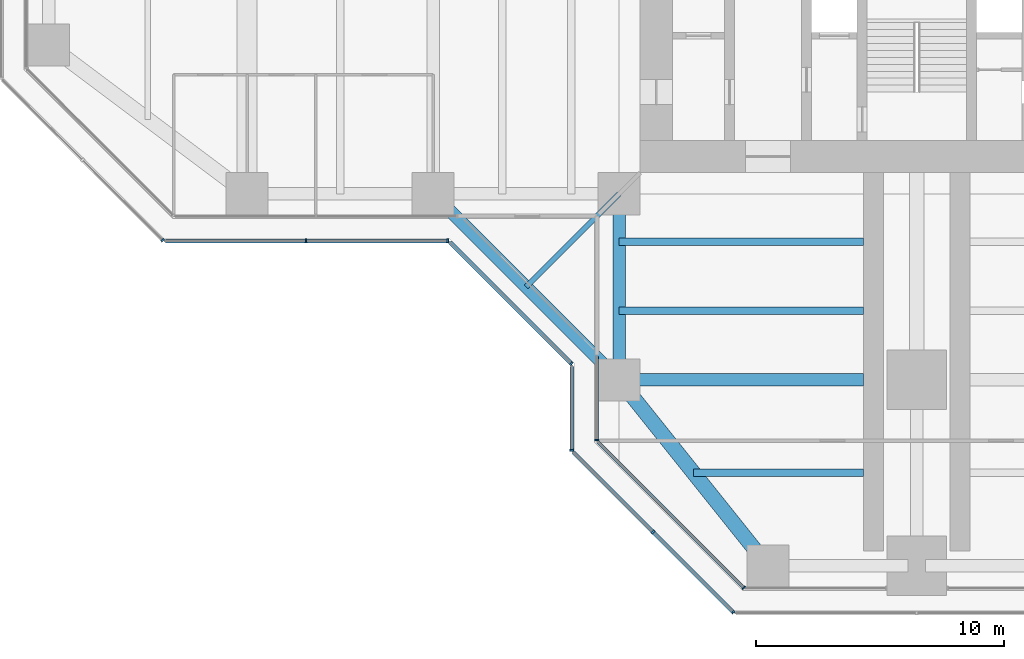
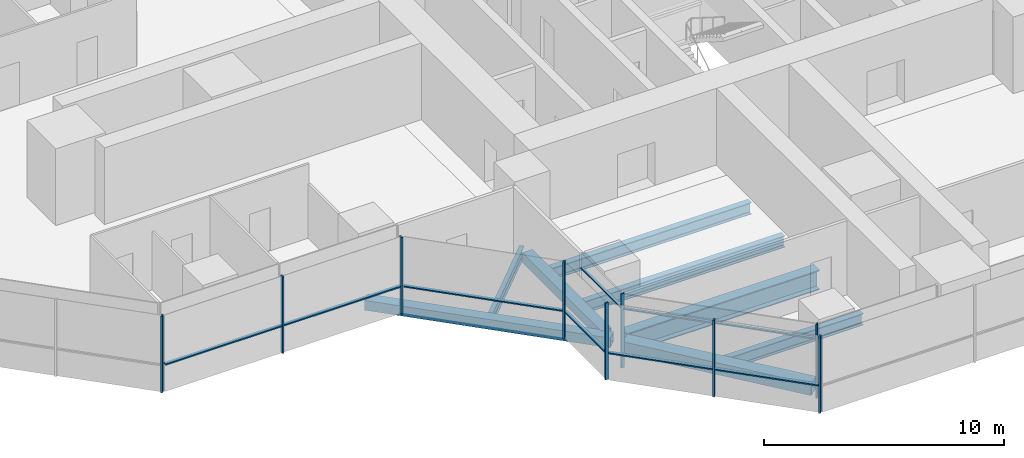
# One storey, part 2 of 20: 17 members, 8 beams, 7 elements without a shape of their own.
"""IFC4 building model written with IfcOpenShell, lengths in metres."""

from ifc_helpers import new_model, si_unit, direction, frame, origin, origin_2d, place, context, subcontext, project, spatial, rectangle, hollow_rectangle, i_section, extrude, material, material_profile, profile_set, type_object, element, aggregate, save


model = new_model("IFC4")

# Units and contexts
model_context = context("Model", 3, precision=1e-05, world=origin(), true_north=direction((0.0, 1.0)))
body_context = subcontext(model_context, "Body", "Model", "MODEL_VIEW")
ifc_project = project(units=[si_unit("LENGTHUNIT", "METRE"), si_unit("AREAUNIT", "SQUARE_METRE"), si_unit("VOLUMEUNIT", "CUBIC_METRE"), si_unit("PLANEANGLEUNIT", "RADIAN"), si_unit("MASSUNIT", "GRAM", prefix="KILO")], contexts=[model_context])

# Site, building, storey
site_placement = place(None, origin())
site = spatial("IfcSite", under=ifc_project, at=site_placement, CompositionType="ELEMENT")
building_placement = place(site_placement, origin())
building = spatial("IfcBuilding", under=site, at=building_placement, Name="Mizan Broadcast Tower", CompositionType="ELEMENT")
storey_placement = place(building_placement, frame((0.0, 0.0, 171.0)))
storey = spatial("IfcBuildingStorey", under=building, at=storey_placement, Name="L39", CompositionType="ELEMENT", Elevation=171.0)

# Beams
ifc_material_1 = material(Name="Steel S355", Category="steel")
ifc_material_profile_1 = material_profile(ifc_material_1, hollow_rectangle(XDim=0.5, YDim=0.5, WallThickness=0.030029296875, at=origin_2d()), Name="BOX 500x500x30")
ifc_profile_set_1 = profile_set([ifc_material_profile_1], Name="Steel S355")
beam_type_1 = type_object("IfcBeamType", Name="EDGE BEAM BOX 500x500x30", PredefinedType="SPANDREL", material=ifc_profile_set_1)
beam_1_placement = place(storey_placement, frame((-12.0, -12.449951171875, -0.3798828125), z_axis=(0.0, -1.0, 0.0), x_axis=(1.0, 0.0, 0.0)))
element("IfcBeam", 1, at=beam_1_placement, inside=storey, type_object=beam_type_1, Name="Edge beam BOX 500x500x30 L39 south arm", PredefinedType="SPANDREL", context=body_context, shape_type="SweptSolid", body=[
    extrude(hollow_rectangle(XDim=0.5, YDim=0.5, WallThickness=0.030029296875, at=origin_2d()), origin(), (0.0, 0.0, 1.0), 6.60009765625),
])
beam_2_placement = place(storey_placement, frame((-19.5, -12.0, -0.3798828125), z_axis=(0.707106781187, -0.707106781187, 0.0), x_axis=(0.707106781187, 0.707106781187, 0.0)))
element("IfcBeam", 2, at=beam_2_placement, inside=storey, type_object=beam_type_1, Name="Winter garden edge beam L39 W", PredefinedType="SPANDREL", context=body_context, shape_type="SweptSolid", body=[
    extrude(hollow_rectangle(XDim=0.5, YDim=0.5, WallThickness=0.030029296875, at=origin_2d()), origin(), (0.0, 0.0, 1.0), 10.606689453125),
])
ifc_material_2 = material(Name="Steel S355", Category="steel")
ifc_material_profile_2 = material_profile(ifc_material_2, hollow_rectangle(XDim=0.60009765625, YDim=0.60009765625, WallThickness=0.030029296875, at=origin_2d()), Name="BOX 600x600x30")
ifc_profile_set_2 = profile_set([ifc_material_profile_2], Name="Steel S355")
beam_type_2 = type_object("IfcBeamType", Name="EDGE BEAM BOX 600x600x30", PredefinedType="SPANDREL", material=ifc_profile_set_2)
beam_3_placement = place(storey_placement, frame((-11.639892578125, -19.949951171875, -0.429931640625), z_axis=(0.624673911726, -0.780885717636, 0.0), x_axis=(0.780885717636, 0.624673911726, 0.0)))
element("IfcBeam", 3, at=beam_3_placement, inside=storey, type_object=beam_type_2, Name="Edge beam BOX 600x600x30 L39 south arm", PredefinedType="SPANDREL", context=body_context, shape_type="SweptSolid", body=[
    extrude(hollow_rectangle(XDim=0.60009765625, YDim=0.60009765625, WallThickness=0.030029296875, at=origin_2d()), origin(), (0.0, 0.0, 1.0), 8.4521484375),
])
ifc_material_3 = material(Name="Steel S460", Category="steel")
ifc_material_profile_3 = material_profile(ifc_material_3, i_section(OverallWidth=0.5, OverallDepth=1.0, WebThickness=0.02490234375, FlangeThickness=0.050048828125, at=origin_2d()), Name="WPG 1000x500")
ifc_profile_set_3 = profile_set([ifc_material_profile_3], Name="Steel S460")
beam_type_3 = type_object("IfcBeamType", Name="GIRDER WPG 1000x500", PredefinedType="BEAM", material=ifc_profile_set_3)
beam_4_placement = place(storey_placement, frame((-11.408935546875, -19.5, -0.6298828125), z_axis=(1.0, 0.0, 0.0), x_axis=(0.0, 1.0, 0.0)))
element("IfcBeam", 4, at=beam_4_placement, inside=storey, type_object=beam_type_3, Name="Girder WPG 1000x500 L39 south arm", PredefinedType="BEAM", context=body_context, shape_type="SweptSolid", body=[
    extrude(i_section(OverallWidth=0.5, OverallDepth=1.0, WebThickness=0.02490234375, FlangeThickness=0.050048828125, at=origin_2d()), origin(), (0.0, 0.0, 1.0), 9.259033203125),
])

# Curtain wall, member
ifc_material_4 = material(Name="Aluminium framed glazing", Category="aluminium")
curtain_wall_type_1 = type_object("IfcCurtainWallType", Name="INNER SKIN MID ZONE", PredefinedType="USERDEFINED", material=ifc_material_4)
curtain_wall_1_placement = place(storey_placement, origin())
curtain_wall_1 = element("IfcCurtainWall", 5, at=curtain_wall_1_placement, inside=storey, type_object=curtain_wall_type_1, Name="Inner skin mid zone L39 S side", ObjectType="INNER SKIN MID ZONE", PredefinedType="USERDEFINED")
ifc_material_5 = material(Name="Aluminium, pale anodised", Category="aluminium")
ifc_material_profile_4 = material_profile(ifc_material_5, rectangle(XDim=0.159912109375, YDim=0.06005859375, at=origin_2d()), Name="MULLION 160x60")
ifc_profile_set_4 = profile_set([ifc_material_profile_4], Name="Aluminium, pale anodised")
member_type_1 = type_object("IfcMemberType", Name="INNER SKIN MULLION 60x160", PredefinedType="MULLION", material=ifc_profile_set_4)
member_1_placement = place(storey_placement, frame((-12.89990234375, -21.928466796875, 0.0), z_axis=(0.0, 0.0, 1.0), x_axis=(1.0, 0.0, 0.0)))
member_1 = element("IfcMember", 6, at=member_1_placement, type_object=member_type_1, Name="Inner skin mid zone L39 S side mullion 2", PredefinedType="MULLION", context=body_context, shape_type="SweptSolid", body=[
    extrude(rectangle(XDim=0.159912109375, YDim=0.06005859375, at=origin_2d()), origin(), (0.0, 0.0, 1.0), 3.77001953125),
])

curtain_wall_2_placement = place(storey_placement, origin())
curtain_wall_2 = element("IfcCurtainWall", 7, at=curtain_wall_2_placement, inside=storey, type_object=curtain_wall_type_1, Name="Inner skin mid zone L39 S chamfer", ObjectType="INNER SKIN MID ZONE", PredefinedType="USERDEFINED")
member_2_placement = place(storey_placement, frame((-6.979736328125, -27.87890625, 0.0), z_axis=(0.0, 0.0, 1.0), x_axis=(0.707106781187, 0.707106781187, 0.0)))
member_2 = element("IfcMember", 8, at=member_2_placement, type_object=member_type_1, Name="Inner skin mid zone L39 S chamfer mullion 2", PredefinedType="MULLION", context=body_context, shape_type="SweptSolid", body=[
    extrude(rectangle(XDim=0.159912109375, YDim=0.06005859375, at=origin_2d()), origin(), (0.0, 0.0, 1.0), 3.77001953125),
])

# Member
ifc_material_6 = material(Name="Aluminium, pale anodised", Category="aluminium")
ifc_material_profile_5 = material_profile(ifc_material_6, rectangle(XDim=0.1201171875, YDim=0.06005859375, at=origin_2d()), Name="TRANSOM 120x60")
ifc_profile_set_5 = profile_set([ifc_material_profile_5], Name="Aluminium, pale anodised")
member_type_2 = type_object("IfcMemberType", Name="INNER SKIN TRANSOM 60x120", PredefinedType="USERDEFINED", material=ifc_profile_set_5)
member_3_placement = place(storey_placement, frame((-12.89990234375, -18.56005859375, 3.030029296875), z_axis=(0.0, -1.0, 0.0), x_axis=(1.0, 0.0, 0.0)))
member_3 = element("IfcMember", 9, at=member_3_placement, type_object=member_type_2, Name="Inner skin mid zone L39 S side transom 1.1", ObjectType="TRANSOM", PredefinedType="USERDEFINED", context=body_context, shape_type="SweptSolid", body=[
    extrude(rectangle(XDim=0.1201171875, YDim=0.06005859375, at=origin_2d()), origin(), (0.0, 0.0, 1.0), 3.338623046875),
])

aggregate(curtain_wall_1, [member_1, member_3])

member_4_placement = place(storey_placement, frame((-12.857666015625, -22.0009765625, 3.030029296875), z_axis=(0.707106781187, -0.707106781187, 0.0), x_axis=(0.707106781187, 0.707106781187, 0.0)))
member_4 = element("IfcMember", 10, at=member_4_placement, type_object=member_type_2, Name="Inner skin mid zone L39 S chamfer transom 1.1", ObjectType="TRANSOM", PredefinedType="USERDEFINED", context=body_context, shape_type="SweptSolid", body=[
    extrude(rectangle(XDim=0.1201171875, YDim=0.06005859375, at=origin_2d()), origin(), (0.0, 0.0, 1.0), 8.28271484375),
])

aggregate(curtain_wall_2, [member_2, member_4])

# Curtain wall, member
ifc_material_7 = material(Name="Aluminium framed glazing", Category="aluminium")
curtain_wall_type_2 = type_object("IfcCurtainWallType", Name="OUTER SKIN", PredefinedType="USERDEFINED", material=ifc_material_7)
curtain_wall_3_placement = place(storey_placement, origin())
curtain_wall_3 = element("IfcCurtainWall", 11, at=curtain_wall_3_placement, inside=storey, type_object=curtain_wall_type_2, Name="Outer skin L39 W chamfer", ObjectType="OUTER SKIN", PredefinedType="USERDEFINED")
ifc_material_8 = material(Name="Aluminium, pale anodised", Category="aluminium")
ifc_material_profile_6 = material_profile(ifc_material_8, rectangle(XDim=0.159912109375, YDim=0.080078125, at=origin_2d()), Name="MULLION 160x80")
ifc_profile_set_6 = profile_set([ifc_material_profile_6], Name="Aluminium, pale anodised")
member_type_3 = type_object("IfcMemberType", Name="OUTER SKIN MULLION 80x160", PredefinedType="MULLION", material=ifc_profile_set_6)
member_5_placement = place(storey_placement, frame((-30.401123046875, -13.871826171875, 0.0), z_axis=(0.0, 0.0, 1.0), x_axis=(0.707106781187, 0.707106781187, 0.0)))
member_5 = element("IfcMember", 12, at=member_5_placement, type_object=member_type_3, Name="Outer skin L39 W chamfer mullion 3", PredefinedType="MULLION", context=body_context, shape_type="SweptSolid", body=[
    extrude(rectangle(XDim=0.159912109375, YDim=0.080078125, at=origin_2d()), origin(), (0.0, 0.0, 1.0), 3.89990234375),
])
aggregate(curtain_wall_3, [member_5])

# Curtain wall, members
curtain_wall_4_placement = place(storey_placement, origin())
curtain_wall_4 = element("IfcCurtainWall", 13, at=curtain_wall_4_placement, inside=storey, type_object=curtain_wall_type_2, Name="Outer skin L39 W side", ObjectType="OUTER SKIN", PredefinedType="USERDEFINED")
member_6_placement = place(storey_placement, frame((-24.622802734375, -13.89990234375, 0.0), z_axis=(0.0, 0.0, 1.0), x_axis=(0.0, 1.0, 0.0)))
member_6 = element("IfcMember", 14, at=member_6_placement, type_object=member_type_3, Name="Outer skin L39 W side mullion 2", PredefinedType="MULLION", context=body_context, shape_type="SweptSolid", body=[
    extrude(rectangle(XDim=0.159912109375, YDim=0.080078125, at=origin_2d()), origin(), (0.0, 0.0, 1.0), 3.89990234375),
])
member_7_placement = place(storey_placement, frame((-18.912841796875, -13.89990234375, 0.0), z_axis=(0.0, 0.0, 1.0), x_axis=(0.0, 1.0, 0.0)))
member_7 = element("IfcMember", 15, at=member_7_placement, type_object=member_type_3, Name="Outer skin L39 W side mullion 3", PredefinedType="MULLION", context=body_context, shape_type="SweptSolid", body=[
    extrude(rectangle(XDim=0.159912109375, YDim=0.080078125, at=origin_2d()), origin(), (0.0, 0.0, 1.0), 3.89990234375),
])

# Curtain wall, member
curtain_wall_5_placement = place(storey_placement, origin())
curtain_wall_5 = element("IfcCurtainWall", 16, at=curtain_wall_5_placement, inside=storey, type_object=curtain_wall_type_2, Name="Outer skin L39 W chamfer", ObjectType="OUTER SKIN", PredefinedType="USERDEFINED")
member_8_placement = place(storey_placement, frame((-13.92822265625, -18.844482421875, 0.0), z_axis=(0.0, 0.0, 1.0), x_axis=(0.707106781187, 0.707106781187, 0.0)))
member_8 = element("IfcMember", 17, at=member_8_placement, type_object=member_type_3, Name="Outer skin L39 W chamfer mullion 2", PredefinedType="MULLION", context=body_context, shape_type="SweptSolid", body=[
    extrude(rectangle(XDim=0.159912109375, YDim=0.080078125, at=origin_2d()), origin(), (0.0, 0.0, 1.0), 3.89990234375),
])

curtain_wall_6_placement = place(storey_placement, origin())
curtain_wall_6 = element("IfcCurtainWall", 18, at=curtain_wall_6_placement, inside=storey, type_object=curtain_wall_type_2, Name="Outer skin L39 S side", ObjectType="OUTER SKIN", PredefinedType="USERDEFINED")
member_9_placement = place(storey_placement, frame((-13.89990234375, -22.332763671875, 0.0), z_axis=(0.0, 0.0, 1.0), x_axis=(1.0, 0.0, 0.0)))
member_9 = element("IfcMember", 19, at=member_9_placement, type_object=member_type_3, Name="Outer skin L39 S side mullion 2", PredefinedType="MULLION", context=body_context, shape_type="SweptSolid", body=[
    extrude(rectangle(XDim=0.159912109375, YDim=0.080078125, at=origin_2d()), origin(), (0.0, 0.0, 1.0), 3.89990234375),
])

# Curtain wall, members
curtain_wall_7_placement = place(storey_placement, origin())
curtain_wall_7 = element("IfcCurtainWall", 20, at=curtain_wall_7_placement, inside=storey, type_object=curtain_wall_type_2, Name="Outer skin L39 S chamfer", ObjectType="OUTER SKIN", PredefinedType="USERDEFINED")
member_10_placement = place(storey_placement, frame((-10.636474609375, -25.636474609375, 0.0), z_axis=(0.0, 0.0, 1.0), x_axis=(0.707106781187, 0.707106781187, 0.0)))
member_10 = element("IfcMember", 21, at=member_10_placement, type_object=member_type_3, Name="Outer skin L39 S chamfer mullion 2", PredefinedType="MULLION", context=body_context, shape_type="SweptSolid", body=[
    extrude(rectangle(XDim=0.159912109375, YDim=0.080078125, at=origin_2d()), origin(), (0.0, 0.0, 1.0), 3.89990234375),
])
member_11_placement = place(storey_placement, frame((-7.401123046875, -28.871826171875, 0.0), z_axis=(0.0, 0.0, 1.0), x_axis=(0.707106781187, 0.707106781187, 0.0)))
member_11 = element("IfcMember", 22, at=member_11_placement, type_object=member_type_3, Name="Outer skin L39 S chamfer mullion 3", PredefinedType="MULLION", context=body_context, shape_type="SweptSolid", body=[
    extrude(rectangle(XDim=0.159912109375, YDim=0.080078125, at=origin_2d()), origin(), (0.0, 0.0, 1.0), 3.89990234375),
])

# Member
ifc_material_9 = material(Name="Aluminium, pale anodised", Category="aluminium")
ifc_material_profile_7 = material_profile(ifc_material_9, rectangle(XDim=0.159912109375, YDim=0.06005859375, at=origin_2d()), Name="TRANSOM 160x60")
ifc_profile_set_7 = profile_set([ifc_material_profile_7], Name="Aluminium, pale anodised")
member_type_4 = type_object("IfcMemberType", Name="OUTER SKIN TRANSOM 60x160", PredefinedType="USERDEFINED", material=ifc_profile_set_7)
member_12_placement = place(storey_placement, frame((-30.292724609375, -13.89990234375, 1.39990234375), z_axis=(1.0, 0.0, 0.0), x_axis=(0.0, 1.0, 0.0)))
member_12 = element("IfcMember", 23, at=member_12_placement, type_object=member_type_4, Name="Outer skin L39 W side transom 1.1", ObjectType="TRANSOM", PredefinedType="USERDEFINED", context=body_context, shape_type="SweptSolid", body=[
    extrude(rectangle(XDim=0.159912109375, YDim=0.06005859375, at=origin_2d()), origin(), (0.0, 0.0, 1.0), 5.6298828125),
])

member_13_placement = place(storey_placement, frame((-24.582763671875, -13.89990234375, 1.39990234375), z_axis=(1.0, 0.0, 0.0), x_axis=(0.0, 1.0, 0.0)))
member_13 = element("IfcMember", 24, at=member_13_placement, type_object=member_type_4, Name="Outer skin L39 W side transom 2.1", ObjectType="TRANSOM", PredefinedType="USERDEFINED", context=body_context, shape_type="SweptSolid", body=[
    extrude(rectangle(XDim=0.159912109375, YDim=0.06005859375, at=origin_2d()), origin(), (0.0, 0.0, 1.0), 5.6298828125),
])

aggregate(curtain_wall_4, [member_6, member_7, member_12, member_13])

member_14_placement = place(storey_placement, frame((-18.816162109375, -13.95654296875, 1.39990234375), z_axis=(0.707106781187, -0.707106781187, 0.0), x_axis=(0.707106781187, 0.707106781187, 0.0)))
member_14 = element("IfcMember", 25, at=member_14_placement, type_object=member_type_4, Name="Outer skin L39 W chamfer transom 1.1", ObjectType="TRANSOM", PredefinedType="USERDEFINED", context=body_context, shape_type="SweptSolid", body=[
    extrude(rectangle(XDim=0.159912109375, YDim=0.06005859375, at=origin_2d()), origin(), (0.0, 0.0, 1.0), 6.87255859375),
])

aggregate(curtain_wall_5, [member_8, member_14])

member_15_placement = place(storey_placement, frame((-13.89990234375, -18.952880859375, 1.39990234375), z_axis=(0.0, -1.0, 0.0), x_axis=(1.0, 0.0, 0.0)))
member_15 = element("IfcMember", 26, at=member_15_placement, type_object=member_type_4, Name="Outer skin L39 S side transom 1.1", ObjectType="TRANSOM", PredefinedType="USERDEFINED", context=body_context, shape_type="SweptSolid", body=[
    extrude(rectangle(XDim=0.159912109375, YDim=0.06005859375, at=origin_2d()), origin(), (0.0, 0.0, 1.0), 3.33984375),
])

aggregate(curtain_wall_6, [member_9, member_15])

member_16_placement = place(storey_placement, frame((-13.843505859375, -22.429443359375, 1.39990234375), z_axis=(0.707106781187, -0.707106781187, 0.0), x_axis=(0.707106781187, 0.707106781187, 0.0)))
member_16 = element("IfcMember", 27, at=member_16_placement, type_object=member_type_4, Name="Outer skin L39 S chamfer transom 1.1", ObjectType="TRANSOM", PredefinedType="USERDEFINED", context=body_context, shape_type="SweptSolid", body=[
    extrude(rectangle(XDim=0.159912109375, YDim=0.06005859375, at=origin_2d()), origin(), (0.0, 0.0, 1.0), 4.495361328125),
])

member_17_placement = place(storey_placement, frame((-10.608154296875, -25.664794921875, 1.39990234375), z_axis=(0.707106781187, -0.707106781187, 0.0), x_axis=(0.707106781187, 0.707106781187, 0.0)))
member_17 = element("IfcMember", 28, at=member_17_placement, type_object=member_type_4, Name="Outer skin L39 S chamfer transom 2.1", ObjectType="TRANSOM", PredefinedType="USERDEFINED", context=body_context, shape_type="SweptSolid", body=[
    extrude(rectangle(XDim=0.159912109375, YDim=0.06005859375, at=origin_2d()), origin(), (0.0, 0.0, 1.0), 4.495361328125),
])

aggregate(curtain_wall_7, [member_10, member_11, member_16, member_17])

# Beams
ifc_material_10 = material(Name="Steel S355", Category="steel")
ifc_material_profile_8 = material_profile(ifc_material_10, i_section(OverallWidth=0.300048828125, OverallDepth=0.590087890625, WebThickness=0.012939453125, FlangeThickness=0.02490234375, FilletRadius=0.027099609375, at=origin_2d()), Name="HEA 600")
ifc_profile_set_8 = profile_set([ifc_material_profile_8], Name="Steel S355")
beam_type_4 = type_object("IfcBeamType", Name="SECONDARY BEAM HEA 600", PredefinedType="JOIST", material=ifc_profile_set_8)
for number, where, z_axis, x_axis, name in (
    (29, (-12.0, -13.933349609375, -0.425048828125), (1.0, 0.0, 0.0), (0.0, 1.0, 0.0), "Secondary beam HEA 600 L39 south arm"),
    (30, (-12.0, -16.716552734375, -0.425048828125), (1.0, 0.0, 0.0), (0.0, 1.0, 0.0), "Secondary beam HEA 600 L39 south arm"),
):
    element("IfcBeam", number, at=place(storey_placement, frame(where, z_axis=z_axis, x_axis=x_axis)), inside=storey, type_object=beam_type_4, Name=name, PredefinedType="JOIST", context=body_context, shape_type="SweptSolid", body=[
        extrude(i_section(OverallWidth=0.300048828125, OverallDepth=0.590087890625, WebThickness=0.012939453125, FlangeThickness=0.02490234375, FilletRadius=0.027099609375, at=origin_2d()), origin(), (0.0, 0.0, 1.0), 9.85009765625),
    ])
beam_5_placement = place(storey_placement, frame((-9.0, -23.25, -0.425048828125), z_axis=(1.0, 0.0, 0.0), x_axis=(0.0, 1.0, 0.0)))
element("IfcBeam", 31, at=beam_5_placement, inside=storey, type_object=beam_type_4, Name="Secondary beam HEA 600 L39 south arm", PredefinedType="JOIST", context=body_context, shape_type="SweptSolid", body=[
    extrude(i_section(OverallWidth=0.300048828125, OverallDepth=0.590087890625, WebThickness=0.012939453125, FlangeThickness=0.02490234375, FilletRadius=0.027099609375, at=origin_2d()), origin(), (0.0, 0.0, 1.0), 6.85009765625),
])
ifc_material_11 = material(Name="Steel S355", Category="steel")
ifc_material_profile_9 = material_profile(ifc_material_11, i_section(OverallWidth=0.2099609375, OverallDepth=0.550048828125, WebThickness=0.010986328125, FlangeThickness=0.01708984375, FilletRadius=0.02392578125, at=origin_2d()), Name="IPE 550")
ifc_profile_set_9 = profile_set([ifc_material_profile_9], Name="Steel S355")
beam_type_5 = type_object("IfcBeamType", Name="SECONDARY BEAM IPE 550", PredefinedType="JOIST", material=ifc_profile_set_9)
beam_6_placement = place(storey_placement, frame((-12.0, -12.0, -0.405029296875), z_axis=(-0.707106781187, -0.707106781187, 0.0), x_axis=(0.707106781187, -0.707106781187, 0.0)))
element("IfcBeam", 32, at=beam_6_placement, inside=storey, type_object=beam_type_5, Name="Winter garden beam L39 W", PredefinedType="JOIST", context=body_context, shape_type="SweptSolid", body=[
    extrude(i_section(OverallWidth=0.2099609375, OverallDepth=0.550048828125, WebThickness=0.010986328125, FlangeThickness=0.01708984375, FilletRadius=0.02392578125, at=origin_2d()), origin(), (0.0, 0.0, 1.0), 5.30322265625),
])

save(model, "model.ifc")
